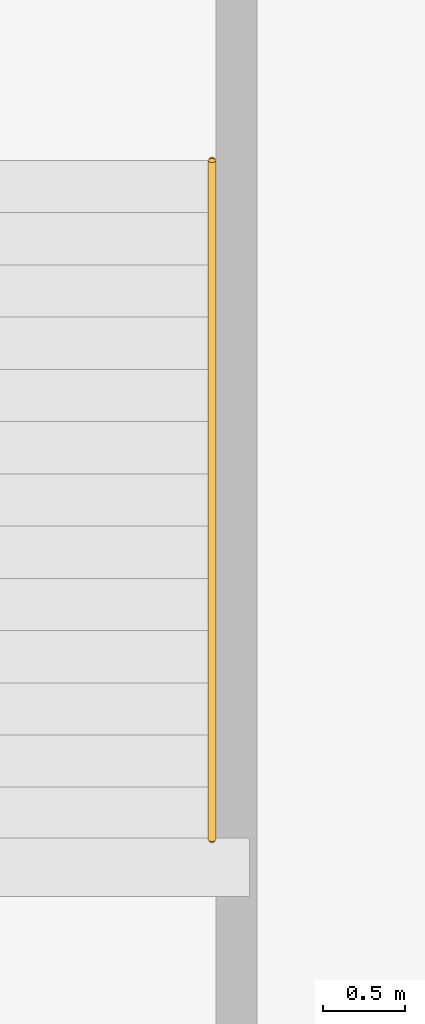
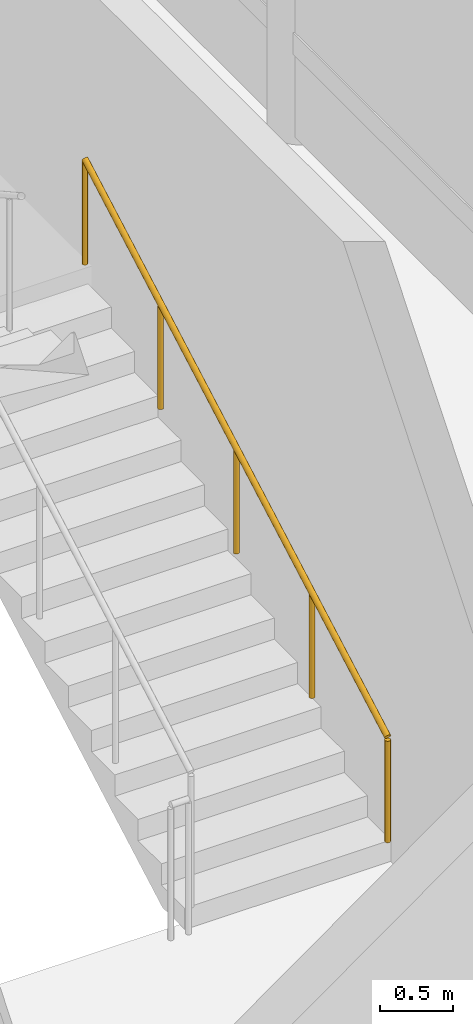
# One storey, part 21 of 21: 1 railing.
"""IFC4 building model written with IfcOpenShell, lengths in metres."""

from ifc_helpers import new_model, si_unit, direction, frame, origin, origin_2d, place, context, subcontext, project, spatial, circle, extrude, material, layer, layer_set, type_object, element, save


model = new_model("IFC4")

# Units and contexts
model_context = context("Model", 3, precision=1e-05, world=origin(), true_north=direction((0.0, 1.0)))
body_context = subcontext(model_context, "Body", "Model", "MODEL_VIEW")
ifc_project = project(units=[si_unit("LENGTHUNIT", "METRE"), si_unit("AREAUNIT", "SQUARE_METRE"), si_unit("VOLUMEUNIT", "CUBIC_METRE"), si_unit("PLANEANGLEUNIT", "RADIAN"), si_unit("MASSUNIT", "GRAM", prefix="KILO")], contexts=[model_context])

# Site, building, storey
site_placement = place(None, origin())
site = spatial("IfcSite", under=ifc_project, at=site_placement, CompositionType="ELEMENT")
building_placement = place(site_placement, origin())
building = spatial("IfcBuilding", under=site, at=building_placement, Name="Kallvorn Hotel Tower", CompositionType="ELEMENT")
storey_placement = place(building_placement, frame((0.0, 0.0, 295.60009765625)))
storey = spatial("IfcBuildingStorey", under=building, at=storey_placement, Name="L73", CompositionType="ELEMENT", Elevation=295.60009765625)

# Railing
ifc_material = material(Name="Brushed stainless-steel tubular railing", Category="steel")
ifc_layer = layer(ifc_material, 0.050048828125)
ifc_layer_set = layer_set([ifc_layer], Name="RL_STAIR_HAND")
railing_type = type_object("IfcRailingType", Name="RL_STAIR_HAND", PredefinedType="HANDRAIL", material=ifc_layer_set)
railing_placement = place(storey_placement, frame((20.110107421875, -3.139892578125, 0.178466796875)))
element("IfcRailing", 1, at=railing_placement, inside=storey, type_object=railing_type, Name="L73 ST4 stair handrail 1", PredefinedType="HANDRAIL", context=body_context, shape_type="SweptSolid", body=[
    extrude(circle(Radius=0.02392578125, at=origin_2d()), frame((0.0, 0.0, 0.8759765625), z_axis=(0.0, 0.873222553742, 0.487321630585), x_axis=(-1.0, 0.0, 0.0)), (0.0, 0.0, 1.0), 4.763916015625),
    extrude(circle(Radius=0.02099609375, at=origin_2d()), origin(), (0.0, 0.0, 1.0), 0.851806640625),
    extrude(circle(Radius=0.02099609375, at=origin_2d()), frame((0.0, 1.0400390625, 0.580322265625)), (0.0, 0.0, 1.0), 0.851806640625),
    extrude(circle(Radius=0.02099609375, at=origin_2d()), frame((0.0, 2.080078125, 1.16064453125)), (0.0, 0.0, 1.0), 0.851806640625),
    extrude(circle(Radius=0.02099609375, at=origin_2d()), frame((0.0, 3.119873046875, 1.7412109375)), (0.0, 0.0, 1.0), 0.851806640625),
    extrude(circle(Radius=0.02099609375, at=origin_2d()), frame((0.0, 4.159912109375, 2.321533203125)), (0.0, 0.0, 1.0), 0.851806640625),
])

save(model, "model.ifc")
